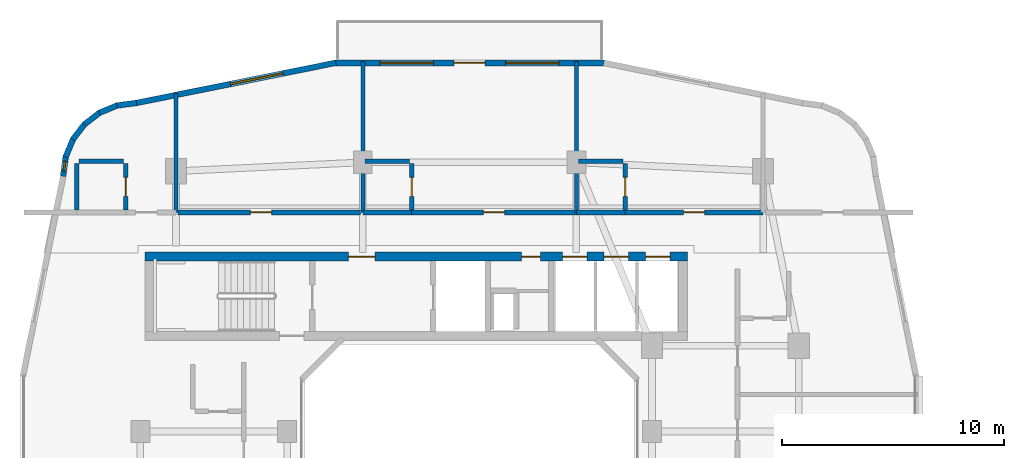
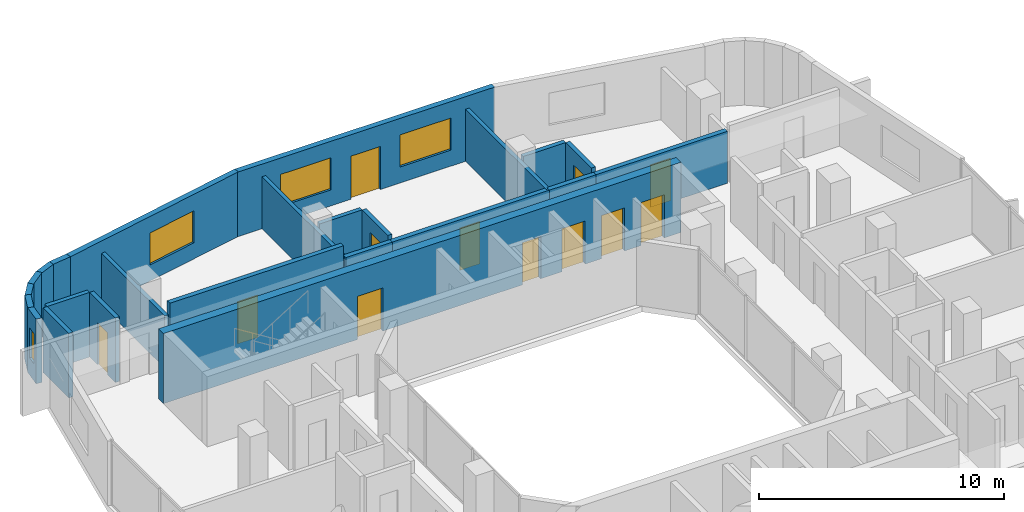
# One storey, part 15 of 26: 24 walls, 12 doors, 4 windows, 16 openings.
"""IFC4 building model written with IfcOpenShell, lengths in metres."""

from ifc_helpers import new_model, si_unit, derived_unit, direction, frame, frame_2d, origin, place, context, subcontext, project, spatial, rectangle, extrude, material, layer, layer_set, type_object, element, fill, save


model = new_model("IFC4")

# Units and contexts
model_context = context("Model", 3, precision=1e-05, world=origin(), true_north=direction((0.0, 1.0)))
body_context = subcontext(model_context, "Body", "Model", "MODEL_VIEW")
ifc_project = project(units=[si_unit("LENGTHUNIT", "METRE"), si_unit("AREAUNIT", "SQUARE_METRE"), si_unit("VOLUMEUNIT", "CUBIC_METRE"), si_unit("PLANEANGLEUNIT", "RADIAN"), si_unit("MASSUNIT", "GRAM", prefix="KILO"), derived_unit("THERMALTRANSMITTANCEUNIT", [(si_unit("POWERUNIT", "WATT"), 1), (si_unit("LENGTHUNIT", "METRE"), -2), (si_unit("THERMODYNAMICTEMPERATUREUNIT", "KELVIN"), -1)])], contexts=[model_context])

# Site, building, storey
site_placement = place(None, origin())
site = spatial("IfcSite", under=ifc_project, at=site_placement, CompositionType="ELEMENT")
building_placement = place(site_placement, origin())
building = spatial("IfcBuilding", under=site, at=building_placement, Name="Kivonza Crest Hotel", CompositionType="ELEMENT")
storey_placement = place(building_placement, frame((0.0, 0.0, 95.0)))
storey = spatial("IfcBuildingStorey", under=building, at=storey_placement, Name="L25", CompositionType="ELEMENT", Elevation=95.0)

# Walls
ifc_material_1 = material(Name="High-density acoustic masonry inter-tenancy wall", Category="masonry")
ifc_layer_1 = layer(ifc_material_1, 0.179931640625)
ifc_layer_set_1 = layer_set([ifc_layer_1], Name="High-density acoustic masonry inter-tenancy wall")
wall_type_1 = type_object("IfcWallType", Name="WL-ACOU-180", PredefinedType="SOLIDWALL", material=ifc_layer_set_1)
wall_1_placement = place(storey_placement, frame((7.800048828125, 38.35009765625, 0.0), z_axis=(0.0, 0.0, 1.0), x_axis=(0.0, 1.0, 0.0)))
element("IfcWall", 1, at=wall_1_placement, inside=storey, type_object=wall_type_1, Name="L25 interior partition WA-L25-T1N-DIV1", PredefinedType="SOLIDWALL", context=body_context, shape_type="SweptSolid", body=[
    extrude(rectangle(XDim=5.350830078125, YDim=0.179931640625, at=frame_2d((2.67529296875, 0.0))), origin(), (0.0, 0.0, 1.0), 2.594970703125),
])
for number, where, z_axis, x_axis, name in (
    (2, (16.199951171875, 38.35009765625, 0.0), (0.0, 0.0, 1.0), (0.0, 1.0, 0.0), "L25 interior partition WA-L25-T1N-DIV2"),
    (3, (25.800048828125, 38.35009765625, 0.0), (0.0, 0.0, 1.0), (0.0, 1.0, 0.0), "L25 interior partition WA-L25-T1N-DIV3"),
):
    element("IfcWall", number, at=place(storey_placement, frame(where, z_axis=z_axis, x_axis=x_axis)), inside=storey, type_object=wall_type_1, Name=name, PredefinedType="SOLIDWALL", context=body_context, shape_type="SweptSolid", body=[
        extrude(rectangle(XDim=6.789794921875, YDim=0.179931640625, at=frame_2d((3.39501953125, 0.0))), origin(), (0.0, 0.0, 1.0), 2.594970703125),
    ])

# Wall, opening, door
ifc_material_2 = material(Name="Autoclaved aerated concrete blockwork", Category="masonry")
ifc_layer_2 = layer(ifc_material_2, 0.219970703125)
ifc_layer_set_2 = layer_set([ifc_layer_2], Name="Autoclaved aerated concrete blockwork")
wall_type_2 = type_object("IfcWallType", Name="WL-ACOU-220", PredefinedType="SOLIDWALL", material=ifc_layer_set_2)
wall_2_placement = place(storey_placement, frame((7.89990234375, 38.35009765625, 0.0), z_axis=(0.0, 0.0, 1.0), x_axis=(1.0, 0.0, 0.0)))
wall_2 = element("IfcWall", 4, at=wall_2_placement, inside=storey, type_object=wall_type_2, Name="L25 interior partition WA-L25-HK-MAIN-S", PredefinedType="SOLIDWALL", context=body_context, shape_type="SweptSolid", body=[
    extrude(rectangle(XDim=8.2001953125, YDim=0.219970703125, at=frame_2d((4.10009765625, 0.0))), origin(), (0.0, 0.0, 1.0), 3.219970703125),
])
opening_1_placement = place(wall_2_placement, frame((3.251953125, 0.0, 0.0)))
opening_1 = element("IfcOpeningElement", 5, at=opening_1_placement, cuts=wall_2, Name="Opening DF-60S", PredefinedType="OPENING", context=body_context, shape_type="SweptSolid", body=[
    extrude(rectangle(XDim=0.949951171875, YDim=2.10009765625, at=frame_2d((0.47509765625, 1.050048828125))), frame((0.0, 0.1201171875, 0.0), z_axis=(0.0, -1.0, 0.0), x_axis=(1.0, 0.0, 0.0)), (0.0, 0.0, 1.0), 0.239990234375),
])
ifc_material_3 = material(Name="Hardwood timber oak", Category="wood")
door_type_1 = type_object("IfcDoorType", Name="DR-FD60-950", OperationType="NOTDEFINED", PredefinedType="DOOR", material=ifc_material_3)
door_1_placement = place(opening_1_placement, origin())
door_1 = element("IfcDoor", 6, at=door_1_placement, inside=storey, type_object=door_type_1, Name="L25 Housekeeping and Linen Room door", OperationType="SINGLE_SWING_RIGHT", OverallHeight=2.10009765625, OverallWidth=0.949951171875, PredefinedType="DOOR", context=body_context, shape_type="SweptSolid", body=[
    extrude(rectangle(XDim=0.949951171875, YDim=2.10009765625, at=frame_2d((0.47509765625, 1.050048828125))), frame((0.0, 0.02490234375, 0.0), z_axis=(0.0, -1.0, 0.0), x_axis=(1.0, 0.0, 0.0)), (0.0, 0.0, 1.0), 0.050048828125),
])
fill(opening_1, door_1)

# Wall
wall_3_placement = place(storey_placement, frame((16.199951171875, 38.35009765625, 0.0), z_axis=(0.0, 0.0, 1.0), x_axis=(1.0, 0.0, 0.0)))
element("IfcWall", 7, at=wall_3_placement, inside=storey, type_object=wall_type_2, Name="L25 interior partition WA-L25-N02-BCORR", PredefinedType="SOLIDWALL", context=body_context, shape_type="SweptSolid", body=[
    extrude(rectangle(XDim=2.199951171875, YDim=0.219970703125, at=frame_2d((1.10009765625, 0.0))), origin(), (0.0, 0.0, 1.0), 2.594970703125),
])

# Wall, opening, door
wall_4_placement = place(storey_placement, frame((18.39990234375, 38.35009765625, 0.0), z_axis=(0.0, 0.0, 1.0), x_axis=(1.0, 0.0, 0.0)))
wall_4 = element("IfcWall", 8, at=wall_4_placement, inside=storey, type_object=wall_type_2, Name="L25 interior partition WA-L25-N02-MCORR", PredefinedType="SOLIDWALL", context=body_context, shape_type="SweptSolid", body=[
    extrude(rectangle(XDim=7.400146484375, YDim=0.219970703125, at=frame_2d((3.7001953125, 0.0))), origin(), (0.0, 0.0, 1.0), 2.594970703125),
])
opening_2_placement = place(wall_4_placement, frame((3.22509765625, 0.0, 0.0)))
opening_2 = element("IfcOpeningElement", 9, at=opening_2_placement, cuts=wall_4, Name="Opening DU-60", PredefinedType="OPENING", context=body_context, shape_type="SweptSolid", body=[
    extrude(rectangle(XDim=0.949951171875, YDim=2.10009765625, at=frame_2d((0.47509765625, 1.050048828125))), frame((0.0, 0.1201171875, 0.0), z_axis=(0.0, -1.0, 0.0), x_axis=(1.0, 0.0, 0.0)), (0.0, 0.0, 1.0), 0.239990234375),
])
door_type_2 = type_object("IfcDoorType", Name="DR-UNIT-950", OperationType="NOTDEFINED", PredefinedType="DOOR", material=ifc_material_3)
door_2_placement = place(opening_2_placement, origin())
door_2 = element("IfcDoor", 10, at=door_2_placement, inside=storey, type_object=door_type_2, Name="L25 N02 guest unit entrance fire door", OperationType="SINGLE_SWING_RIGHT", OverallHeight=2.10009765625, OverallWidth=0.949951171875, PredefinedType="DOOR", context=body_context, shape_type="SweptSolid", body=[
    extrude(rectangle(XDim=0.949951171875, YDim=2.10009765625, at=frame_2d((0.47509765625, 1.050048828125))), frame((0.0, 0.02490234375, 0.0), z_axis=(0.0, -1.0, 0.0), x_axis=(1.0, 0.0, 0.0)), (0.0, 0.0, 1.0), 0.050048828125),
])
fill(opening_2, door_2)

# Wall
wall_5_placement = place(storey_placement, frame((25.800048828125, 38.35009765625, 0.0), z_axis=(0.0, 0.0, 1.0), x_axis=(1.0, 0.0, 0.0)))
element("IfcWall", 11, at=wall_5_placement, inside=storey, type_object=wall_type_2, Name="L25 interior partition WA-L25-N03-BCORR", PredefinedType="SOLIDWALL", context=body_context, shape_type="SweptSolid", body=[
    extrude(rectangle(XDim=2.199951171875, YDim=0.219970703125, at=frame_2d((1.10009765625, 0.0))), origin(), (0.0, 0.0, 1.0), 2.594970703125),
])

# Wall, opening, door
wall_6_placement = place(storey_placement, frame((28.0, 38.35009765625, 0.0), z_axis=(0.0, 0.0, 1.0), x_axis=(1.0, 0.0, 0.0)))
wall_6 = element("IfcWall", 12, at=wall_6_placement, inside=storey, type_object=wall_type_2, Name="L25 interior partition WA-L25-N03-MCORR", PredefinedType="SOLIDWALL", context=body_context, shape_type="SweptSolid", body=[
    extrude(rectangle(XDim=6.199951171875, YDim=0.219970703125, at=frame_2d((3.10009765625, 0.0))), origin(), (0.0, 0.0, 1.0), 2.594970703125),
])
opening_3_placement = place(wall_6_placement, frame((2.625, 0.0, 0.0)))
opening_3 = element("IfcOpeningElement", 13, at=opening_3_placement, cuts=wall_6, Name="Opening DU-60", PredefinedType="OPENING", context=body_context, shape_type="SweptSolid", body=[
    extrude(rectangle(XDim=0.949951171875, YDim=2.10009765625, at=frame_2d((0.47509765625, 1.050048828125))), frame((0.0, 0.1201171875, 0.0), z_axis=(0.0, -1.0, 0.0), x_axis=(1.0, 0.0, 0.0)), (0.0, 0.0, 1.0), 0.239990234375),
])
door_3_placement = place(opening_3_placement, origin())
door_3 = element("IfcDoor", 14, at=door_3_placement, inside=storey, type_object=door_type_2, Name="L25 N03 guest unit entrance fire door", OperationType="SINGLE_SWING_LEFT", OverallHeight=2.10009765625, OverallWidth=0.949951171875, PredefinedType="DOOR", context=body_context, shape_type="SweptSolid", body=[
    extrude(rectangle(XDim=0.949951171875, YDim=2.10009765625, at=frame_2d((0.47509765625, 1.050048828125))), frame((0.0, 0.02490234375, 0.0), z_axis=(0.0, -1.0, 0.0), x_axis=(1.0, 0.0, 0.0)), (0.0, 0.0, 1.0), 0.050048828125),
])
fill(opening_3, door_3)

# Wall, openings, doors
ifc_material_4 = material(Name="Concrete C50/60", Category="concrete")
ifc_layer_3 = layer(ifc_material_4, 0.39990234375)
ifc_layer_set_3 = layer_set([ifc_layer_3], Name="Concrete C50/60")
wall_type_3 = type_object("IfcWallType", Name="WL-CORE-400", PredefinedType="SHEAR", material=ifc_layer_set_3)
wall_7_placement = place(storey_placement, frame((6.39990234375, 36.360107421875, 0.0), z_axis=(0.0, 0.0, 1.0), x_axis=(1.0, 0.0, 0.0)))
wall_7 = element("IfcWall", 15, at=wall_7_placement, inside=storey, type_object=wall_type_3, Name="Core wall T1-N North L25", PredefinedType="SHEAR", context=body_context, shape_type="SweptSolid", body=[
    extrude(rectangle(XDim=24.400146484375, YDim=0.39990234375, at=frame_2d((12.2001953125, 0.0))), origin(), (0.0, 0.0, 1.0), 3.5),
])
opening_4_placement = place(wall_7_placement, frame((9.14990234375, 0.0, 0.0)))
opening_4 = element("IfcOpeningElement", 16, at=opening_4_placement, cuts=wall_7, Name="Opening DF-60", PredefinedType="OPENING", context=body_context, shape_type="SweptSolid", body=[
    extrude(rectangle(XDim=1.199951171875, YDim=2.14990234375, at=frame_2d((0.60009765625, 1.074951171875))), frame((0.0, 0.2099609375, 0.0), z_axis=(0.0, -1.0, 0.0), x_axis=(1.0, 0.0, 0.0)), (0.0, 0.0, 1.0), 0.419921875),
])
opening_5_placement = place(wall_7_placement, frame((16.93994140625, 0.0, 0.0)))
opening_5 = element("IfcOpeningElement", 17, at=opening_5_placement, cuts=wall_7, Name="Opening DF-60R", PredefinedType="OPENING", context=body_context, shape_type="SweptSolid", body=[
    extrude(rectangle(XDim=0.85009765625, YDim=2.10009765625, at=frame_2d((0.425048828125, 1.050048828125))), frame((0.0, 0.2099609375, 0.0), z_axis=(0.0, -1.0, 0.0), x_axis=(1.0, 0.0, 0.0)), (0.0, 0.0, 1.0), 0.419921875),
])
opening_6_placement = place(wall_7_placement, frame((18.782958984375, 0.0, 0.0)))
opening_6 = element("IfcOpeningElement", 18, at=opening_6_placement, cuts=wall_7, Name="Opening LD-120", PredefinedType="OPENING", context=body_context, shape_type="SweptSolid", body=[
    extrude(rectangle(XDim=1.10009765625, YDim=2.14990234375, at=frame_2d((0.550048828125, 1.074951171875))), frame((0.0, 0.2099609375, 0.0), z_axis=(0.0, -1.0, 0.0), x_axis=(1.0, 0.0, 0.0)), (0.0, 0.0, 1.0), 0.419921875),
])
opening_7_placement = place(wall_7_placement, frame((20.64990234375, 0.0, 0.0)))
opening_7 = element("IfcOpeningElement", 19, at=opening_7_placement, cuts=wall_7, Name="Opening LD-120", PredefinedType="OPENING", context=body_context, shape_type="SweptSolid", body=[
    extrude(rectangle(XDim=1.10009765625, YDim=2.14990234375, at=frame_2d((0.550048828125, 1.074951171875))), frame((0.0, 0.2099609375, 0.0), z_axis=(0.0, -1.0, 0.0), x_axis=(1.0, 0.0, 0.0)), (0.0, 0.0, 1.0), 0.419921875),
])
opening_8_placement = place(wall_7_placement, frame((22.51708984375, 0.0, 0.0)))
opening_8 = element("IfcOpeningElement", 20, at=opening_8_placement, cuts=wall_7, Name="Opening LD-120", PredefinedType="OPENING", context=body_context, shape_type="SweptSolid", body=[
    extrude(rectangle(XDim=1.10009765625, YDim=2.14990234375, at=frame_2d((0.550048828125, 1.074951171875))), frame((0.0, 0.2099609375, 0.0), z_axis=(0.0, -1.0, 0.0), x_axis=(1.0, 0.0, 0.0)), (0.0, 0.0, 1.0), 0.419921875),
])
door_type_3 = type_object("IfcDoorType", Name="DR-FD60-1200", OperationType="NOTDEFINED", PredefinedType="DOOR", material=ifc_material_3)
door_4_placement = place(opening_4_placement, origin())
door_4 = element("IfcDoor", 21, at=door_4_placement, inside=storey, type_object=door_type_3, Name="L25 T1-N firefighting lobby fire door", OperationType="SINGLE_SWING_RIGHT", OverallHeight=2.14990234375, OverallWidth=1.199951171875, PredefinedType="DOOR", context=body_context, shape_type="SweptSolid", body=[
    extrude(rectangle(XDim=1.199951171875, YDim=2.14990234375, at=frame_2d((0.60009765625, 1.074951171875))), frame((0.0, 0.02490234375, 0.0), z_axis=(0.0, -1.0, 0.0), x_axis=(1.0, 0.0, 0.0)), (0.0, 0.0, 1.0), 0.050048828125),
])
fill(opening_4, door_4)
door_type_4 = type_object("IfcDoorType", Name="DR-FD60-850", OperationType="NOTDEFINED", PredefinedType="DOOR", material=ifc_material_3)
door_5_placement = place(opening_5_placement, origin())
door_5 = element("IfcDoor", 22, at=door_5_placement, inside=storey, type_object=door_type_4, Name="L25 T1-N core room door", OperationType="SINGLE_SWING_RIGHT", OverallHeight=2.10009765625, OverallWidth=0.85009765625, PredefinedType="DOOR", context=body_context, shape_type="SweptSolid", body=[
    extrude(rectangle(XDim=0.85009765625, YDim=2.10009765625, at=frame_2d((0.425048828125, 1.050048828125))), frame((0.0, 0.02490234375, 0.0), z_axis=(0.0, -1.0, 0.0), x_axis=(1.0, 0.0, 0.0)), (0.0, 0.0, 1.0), 0.050048828125),
])
fill(opening_5, door_5)
ifc_material_5 = material(Name="Stainless steel", Category="steel")
door_type_5 = type_object("IfcDoorType", Name="DR-LD120-1100", OperationType="NOTDEFINED", PredefinedType="DOOR", material=ifc_material_5)
door_6_placement = place(opening_6_placement, origin())
door_6 = element("IfcDoor", 23, at=door_6_placement, inside=storey, type_object=door_type_5, Name="L25 PL-T1-L1 passenger lift sliding landing door", OperationType="DOUBLE_DOOR_SLIDING", OverallHeight=2.14990234375, OverallWidth=1.10009765625, PredefinedType="DOOR", context=body_context, shape_type="SweptSolid", body=[
    extrude(rectangle(XDim=1.10009765625, YDim=2.14990234375, at=frame_2d((0.550048828125, 1.074951171875))), frame((0.0, 0.02490234375, 0.0), z_axis=(0.0, -1.0, 0.0), x_axis=(1.0, 0.0, 0.0)), (0.0, 0.0, 1.0), 0.050048828125),
])
fill(opening_6, door_6)
door_7_placement = place(opening_7_placement, origin())
door_7 = element("IfcDoor", 24, at=door_7_placement, inside=storey, type_object=door_type_5, Name="L25 PL-T1-L2 passenger lift sliding landing door", OperationType="DOUBLE_DOOR_SLIDING", OverallHeight=2.14990234375, OverallWidth=1.10009765625, PredefinedType="DOOR", context=body_context, shape_type="SweptSolid", body=[
    extrude(rectangle(XDim=1.10009765625, YDim=2.14990234375, at=frame_2d((0.550048828125, 1.074951171875))), frame((0.0, 0.02490234375, 0.0), z_axis=(0.0, -1.0, 0.0), x_axis=(1.0, 0.0, 0.0)), (0.0, 0.0, 1.0), 0.050048828125),
])
fill(opening_7, door_7)
door_8_placement = place(opening_8_placement, origin())
door_8 = element("IfcDoor", 25, at=door_8_placement, inside=storey, type_object=door_type_5, Name="L25 PL-T1-L3 passenger lift sliding landing door", OperationType="DOUBLE_DOOR_SLIDING", OverallHeight=2.14990234375, OverallWidth=1.10009765625, PredefinedType="DOOR", context=body_context, shape_type="SweptSolid", body=[
    extrude(rectangle(XDim=1.10009765625, YDim=2.14990234375, at=frame_2d((0.550048828125, 1.074951171875))), frame((0.0, 0.02490234375, 0.0), z_axis=(0.0, -1.0, 0.0), x_axis=(1.0, 0.0, 0.0)), (0.0, 0.0, 1.0), 0.050048828125),
])
fill(opening_8, door_8)

# Wall, openings, door, windows
ifc_material_6 = material(Name="Precast concrete C40/50", Category="concrete")
ifc_layer_4 = layer(ifc_material_6, 0.260009765625)
ifc_layer_set_4 = layer_set([ifc_layer_4], Name="Precast concrete C40/50")
wall_type_4 = type_object("IfcWallType", Name="WL-EXT-260", PredefinedType="STANDARD", material=ifc_layer_set_4)
wall_8_placement = place(storey_placement, frame((27.0849609375, 45.070068359375, 0.0), z_axis=(0.0, 0.0, 1.0), x_axis=(-1.0, 0.0, 0.0)))
wall_8 = element("IfcWall", 26, at=wall_8_placement, inside=storey, type_object=wall_type_4, Name="L25 T1 exterior insulated wall 26", PredefinedType="STANDARD", context=body_context, shape_type="SweptSolid", body=[
    extrude(rectangle(XDim=12.135009765625, YDim=0.260009765625, at=frame_2d((6.0673828125, 0.0))), origin(), (0.0, 0.0, 1.0), 3.219970703125),
])
opening_9_placement = place(wall_8_placement, frame((5.385009765625, 0.0, 0.0)))
opening_9 = element("IfcOpeningElement", 27, at=opening_9_placement, cuts=wall_8, Name="Opening DT-140", PredefinedType="OPENING", context=body_context, shape_type="SweptSolid", body=[
    extrude(rectangle(XDim=1.39990234375, YDim=2.14990234375, at=frame_2d((0.699951171875, 1.074951171875))), frame((0.0, 0.14013671875, 0.0), z_axis=(0.0, -1.0, 0.0), x_axis=(1.0, 0.0, 0.0)), (0.0, 0.0, 1.0), 0.280029296875),
])
opening_10_placement = place(wall_8_placement, frame((2.06005859375, 0.0, 0.800048828125)))
opening_10 = element("IfcOpeningElement", 28, at=opening_10_placement, cuts=wall_8, Name="Opening WN-05", PredefinedType="OPENING", context=body_context, shape_type="SweptSolid", body=[
    extrude(rectangle(XDim=2.39990234375, YDim=1.60009765625, at=frame_2d((1.199951171875, 0.800048828125))), frame((0.0, 0.14013671875, 0.0), z_axis=(0.0, -1.0, 0.0), x_axis=(1.0, 0.0, 0.0)), (0.0, 0.0, 1.0), 0.280029296875),
])
opening_11_placement = place(wall_8_placement, frame((7.7099609375, 0.0, 0.800048828125)))
opening_11 = element("IfcOpeningElement", 29, at=opening_11_placement, cuts=wall_8, Name="Opening WN-05", PredefinedType="OPENING", context=body_context, shape_type="SweptSolid", body=[
    extrude(rectangle(XDim=2.39990234375, YDim=1.60009765625, at=frame_2d((1.199951171875, 0.800048828125))), frame((0.0, 0.14013671875, 0.0), z_axis=(0.0, -1.0, 0.0), x_axis=(1.0, 0.0, 0.0)), (0.0, 0.0, 1.0), 0.280029296875),
])
ifc_material_7 = material(Name="Anodised bronze aluminium and laminated safety glass", Category="aluminium")
door_type_6 = type_object("IfcDoorType", Name="DR-TERR-1400", OperationType="NOTDEFINED", PredefinedType="DOOR", material=ifc_material_7)
door_9_placement = place(opening_9_placement, frame((1.39990234375, 0.0, 0.0), z_axis=(0.0, 0.0, 1.0), x_axis=(-1.0, 0.0, 0.0)))
door_9 = element("IfcDoor", 30, at=door_9_placement, inside=storey, type_object=door_type_6, Name="L25 North setback terrace door", OperationType="DOUBLE_DOOR_SINGLE_SWING", OverallHeight=2.14990234375, OverallWidth=1.39990234375, PredefinedType="DOOR", context=body_context, shape_type="SweptSolid", body=[
    extrude(rectangle(XDim=1.39990234375, YDim=2.14990234375, at=frame_2d((0.699951171875, 1.074951171875))), frame((0.0, 0.02490234375, 0.0), z_axis=(0.0, -1.0, 0.0), x_axis=(1.0, 0.0, 0.0)), (0.0, 0.0, 1.0), 0.050048828125),
])
fill(opening_9, door_9)
ifc_material_8 = material(Name="Thermally broken bronze aluminium and low-E double glazing", Category="aluminium")
window_type_1 = type_object("IfcWindowType", Name="WN-240x160", PartitioningType="TRIPLE_PANEL_VERTICAL", PredefinedType="WINDOW", material=ifc_material_8)
window_1_placement = place(opening_10_placement, origin())
window_1 = element("IfcWindow", 31, at=window_1_placement, inside=storey, type_object=window_type_1, Name="L25 T1 facade window 26 bay 1", OverallHeight=1.60009765625, OverallWidth=2.39990234375, PartitioningType="SINGLE_PANEL", PredefinedType="WINDOW", context=body_context, shape_type="SweptSolid", body=[
    extrude(rectangle(XDim=2.39990234375, YDim=1.60009765625, at=frame_2d((1.199951171875, 0.800048828125))), frame((0.0, 0.030029296875, 0.0), z_axis=(0.0, -1.0, 0.0), x_axis=(1.0, 0.0, 0.0)), (0.0, 0.0, 1.0), 0.06005859375),
])
fill(opening_10, window_1)
window_2_placement = place(opening_11_placement, origin())
window_2 = element("IfcWindow", 32, at=window_2_placement, inside=storey, type_object=window_type_1, Name="L25 T1 facade window 26 bay 2", OverallHeight=1.60009765625, OverallWidth=2.39990234375, PartitioningType="SINGLE_PANEL", PredefinedType="WINDOW", context=body_context, shape_type="SweptSolid", body=[
    extrude(rectangle(XDim=2.39990234375, YDim=1.60009765625, at=frame_2d((1.199951171875, 0.800048828125))), frame((0.0, 0.030029296875, 0.0), z_axis=(0.0, -1.0, 0.0), x_axis=(1.0, 0.0, 0.0)), (0.0, 0.0, 1.0), 0.06005859375),
])
fill(opening_11, window_2)

# Wall, opening, window
wall_9_placement = place(storey_placement, frame((14.990966796875, 45.077880859375, 0.0), z_axis=(0.0, 0.0, 1.0), x_axis=(-0.980321298532, -0.197408590603, 0.0)))
wall_9 = element("IfcWall", 33, at=wall_9_placement, inside=storey, type_object=wall_type_4, Name="L25 T1 exterior insulated wall 27", PredefinedType="STANDARD", context=body_context, shape_type="SweptSolid", body=[
    extrude(rectangle(XDim=9.153076171875, YDim=0.260009765625, at=frame_2d((4.57666015625, 0.0))), origin(), (0.0, 0.0, 1.0), 3.219970703125),
])
opening_12_placement = place(wall_9_placement, frame((2.430908203125, 0.0, 0.800048828125)))
opening_12 = element("IfcOpeningElement", 34, at=opening_12_placement, cuts=wall_9, Name="Opening WN-05", PredefinedType="OPENING", context=body_context, shape_type="SweptSolid", body=[
    extrude(rectangle(XDim=2.39990234375, YDim=1.60009765625, at=frame_2d((1.199951171875, 0.800048828125))), frame((0.0, 0.14013671875, 0.0), z_axis=(0.0, -1.0, 0.0), x_axis=(1.0, 0.0, 0.0)), (0.0, 0.0, 1.0), 0.280029296875),
])
window_3_placement = place(opening_12_placement, origin())
window_3 = element("IfcWindow", 35, at=window_3_placement, inside=storey, type_object=window_type_1, Name="L25 T1 facade window 27", OverallHeight=1.60009765625, OverallWidth=2.39990234375, PartitioningType="SINGLE_PANEL", PredefinedType="WINDOW", context=body_context, shape_type="SweptSolid", body=[
    extrude(rectangle(XDim=2.39990234375, YDim=1.60009765625, at=frame_2d((1.199951171875, 0.800048828125))), frame((0.0, 0.030029296875, 0.0), z_axis=(0.0, -1.0, 0.0), x_axis=(1.0, 0.0, 0.0)), (0.0, 0.0, 1.0), 0.06005859375),
])
fill(opening_12, window_3)

# Walls
wall_10_placement = place(storey_placement, frame((6.02490234375, 43.27197265625, 0.0), z_axis=(0.0, 0.0, 1.0), x_axis=(-0.991388484223, -0.130953706898, 0.0)))
element("IfcWall", 36, at=wall_10_placement, inside=storey, type_object=wall_type_4, Name="L25 T1 exterior insulated wall 28", PredefinedType="STANDARD", context=body_context, shape_type="SweptSolid", body=[
    extrude(rectangle(XDim=0.885498046875, YDim=0.260009765625, at=frame_2d((0.44287109375, 0.0))), origin(), (0.0, 0.0, 1.0), 3.219970703125),
])
wall_11_placement = place(storey_placement, frame((5.193115234375, 43.174072265625, 0.0), z_axis=(0.0, 0.0, 1.0), x_axis=(-0.923627776508, -0.383290660547, 0.0)))
element("IfcWall", 37, at=wall_11_placement, inside=storey, type_object=wall_type_4, Name="L25 T1 exterior insulated wall 29", PredefinedType="STANDARD", context=body_context, shape_type="SweptSolid", body=[
    extrude(rectangle(XDim=0.9033203125, YDim=0.260009765625, at=frame_2d((0.45166015625, 0.0))), origin(), (0.0, 0.0, 1.0), 3.219970703125),
])
wall_12_placement = place(storey_placement, frame((4.39892578125, 42.85595703125, 0.0), z_axis=(0.0, 0.0, 1.0), x_axis=(-0.793458244748, -0.608624690463, 0.0)))
element("IfcWall", 38, at=wall_12_placement, inside=storey, type_object=wall_type_4, Name="L25 T1 exterior insulated wall 30", PredefinedType="STANDARD", context=body_context, shape_type="SweptSolid", body=[
    extrude(rectangle(XDim=0.902099609375, YDim=0.260009765625, at=frame_2d((0.451171875, 0.0))), origin(), (0.0, 0.0, 1.0), 3.219970703125),
])
wall_13_placement = place(storey_placement, frame((3.714111328125, 42.344970703125, 0.0), z_axis=(0.0, 0.0, 1.0), x_axis=(-0.608494022858, -0.793558456666, 0.0)))
element("IfcWall", 39, at=wall_13_placement, inside=storey, type_object=wall_type_4, Name="L25 T1 exterior insulated wall 31", PredefinedType="STANDARD", context=body_context, shape_type="SweptSolid", body=[
    extrude(rectangle(XDim=0.90234375, YDim=0.260009765625, at=frame_2d((0.451171875, 0.0))), origin(), (0.0, 0.0, 1.0), 3.219970703125),
])
wall_14_placement = place(storey_placement, frame((3.18603515625, 41.673095703125, 0.0), z_axis=(0.0, 0.0, 1.0), x_axis=(-0.383155708213, -0.923683767999, 0.0)))
element("IfcWall", 40, at=wall_14_placement, inside=storey, type_object=wall_type_4, Name="L25 T1 exterior insulated wall 32", PredefinedType="STANDARD", context=body_context, shape_type="SweptSolid", body=[
    extrude(rectangle(XDim=0.90283203125, YDim=0.260009765625, at=frame_2d((0.451416015625, 0.0))), origin(), (0.0, 0.0, 1.0), 3.219970703125),
])

# Wall, opening, window
wall_15_placement = place(storey_placement, frame((2.847900390625, 40.887939453125, 0.0), z_axis=(0.0, 0.0, 1.0), x_axis=(-0.130200706103, -0.991487658083, 0.0)))
wall_15 = element("IfcWall", 41, at=wall_15_placement, inside=storey, type_object=wall_type_4, Name="L25 T1 exterior insulated wall 33", PredefinedType="STANDARD", context=body_context, shape_type="SweptSolid", body=[
    extrude(rectangle(XDim=0.920654296875, YDim=0.260009765625, at=frame_2d((0.46044921875, 0.0))), origin(), (0.0, 0.0, 1.0), 3.219970703125),
])
opening_13_placement = place(wall_15_placement, frame((0.235107421875, 0.0, 0.85009765625)))
opening_13 = element("IfcOpeningElement", 42, at=opening_13_placement, cuts=wall_15, Name="Opening WN-11", PredefinedType="OPENING", context=body_context, shape_type="SweptSolid", body=[
    extrude(rectangle(XDim=0.449951171875, YDim=1.5, at=frame_2d((0.22509765625, 0.75))), frame((0.0, 0.14013671875, 0.0), z_axis=(0.0, -1.0, 0.0), x_axis=(1.0, 0.0, 0.0)), (0.0, 0.0, 1.0), 0.280029296875),
])
window_type_2 = type_object("IfcWindowType", Name="WN-045x150", PartitioningType="SINGLE_PANEL", PredefinedType="WINDOW", material=ifc_material_8)
window_4_placement = place(opening_13_placement, origin())
window_4 = element("IfcWindow", 43, at=window_4_placement, inside=storey, type_object=window_type_2, Name="L25 corner vision window 1", OverallHeight=1.5, OverallWidth=0.449951171875, PartitioningType="SINGLE_PANEL", PredefinedType="WINDOW", context=body_context, shape_type="SweptSolid", body=[
    extrude(rectangle(XDim=0.449951171875, YDim=1.5, at=frame_2d((0.22509765625, 0.75))), frame((0.0, 0.030029296875, 0.0), z_axis=(0.0, -1.0, 0.0), x_axis=(1.0, 0.0, 0.0)), (0.0, 0.0, 1.0), 0.06005859375),
])
fill(opening_13, window_4)

# Wall, opening, door
ifc_material_9 = material(Name="Moisture-resistant plumbing chase partition wall", Category="gypsum")
ifc_layer_5 = layer(ifc_material_9, 0.199951171875)
ifc_layer_set_5 = layer_set([ifc_layer_5], Name="Moisture-resistant plumbing chase partition wall")
wall_type_5 = type_object("IfcWallType", Name="WL-PLUMB-200", PredefinedType="PLUMBINGWALL", material=ifc_layer_set_5)
wall_16_placement = place(storey_placement, frame((5.550048828125, 38.449951171875, 0.0), z_axis=(0.0, 0.0, 1.0), x_axis=(0.0, 1.0, 0.0)))
wall_16 = element("IfcWall", 44, at=wall_16_placement, inside=storey, type_object=wall_type_5, Name="L25 interior partition WW-L25-N01-BV", PredefinedType="PLUMBINGWALL", context=body_context, shape_type="SweptSolid", body=[
    extrude(rectangle(XDim=2.10009765625, YDim=0.199951171875, at=frame_2d((1.050048828125, 0.0))), origin(), (0.0, 0.0, 1.0), 3.219970703125),
])
opening_14_placement = place(wall_16_placement, frame((0.625, 0.0, 0.0)))
opening_14 = element("IfcOpeningElement", 45, at=opening_14_placement, cuts=wall_16, Name="Opening DI-85", PredefinedType="OPENING", context=body_context, shape_type="SweptSolid", body=[
    extrude(rectangle(XDim=0.85009765625, YDim=2.10009765625, at=frame_2d((0.425048828125, 1.050048828125))), frame((0.0, 0.10986328125, 0.0), z_axis=(0.0, -1.0, 0.0), x_axis=(1.0, 0.0, 0.0)), (0.0, 0.0, 1.0), 0.219970703125),
])
door_type_7 = type_object("IfcDoorType", Name="DR-INT-850", OperationType="NOTDEFINED", PredefinedType="DOOR", material=ifc_material_3)
door_10_placement = place(opening_14_placement, frame((0.85009765625, 0.0, 0.0), z_axis=(0.0, 0.0, 1.0), x_axis=(-1.0, 0.0, 0.0)))
door_10 = element("IfcDoor", 46, at=door_10_placement, inside=storey, type_object=door_type_7, Name="L25 N01 en-suite bathroom door", OperationType="SINGLE_SWING_RIGHT", OverallHeight=2.10009765625, OverallWidth=0.85009765625, PredefinedType="DOOR", context=body_context, shape_type="SweptSolid", body=[
    extrude(rectangle(XDim=0.85009765625, YDim=2.10009765625, at=frame_2d((0.425048828125, 1.050048828125))), frame((0.0, 0.02490234375, 0.0), z_axis=(0.0, -1.0, 0.0), x_axis=(1.0, 0.0, 0.0)), (0.0, 0.0, 1.0), 0.050048828125),
])
fill(opening_14, door_10)

# Walls
wall_17_placement = place(storey_placement, frame((3.449951171875, 40.64990234375, 0.0), z_axis=(0.0, 0.0, 1.0), x_axis=(1.0, 0.0, 0.0)))
element("IfcWall", 47, at=wall_17_placement, inside=storey, type_object=wall_type_5, Name="L25 interior partition WW-L25-N01-BH", PredefinedType="PLUMBINGWALL", context=body_context, shape_type="SweptSolid", body=[
    extrude(rectangle(XDim=2.0, YDim=0.199951171875, at=frame_2d((1.0, 0.0))), origin(), (0.0, 0.0, 1.0), 3.219970703125),
])
wall_18_placement = place(storey_placement, frame((3.35009765625, 38.449951171875, 0.0), z_axis=(0.0, 0.0, 1.0), x_axis=(0.0, 1.0, 0.0)))
element("IfcWall", 48, at=wall_18_placement, inside=storey, type_object=wall_type_5, Name="L25 interior partition WW-L25-N01-BVW", PredefinedType="PLUMBINGWALL", context=body_context, shape_type="SweptSolid", body=[
    extrude(rectangle(XDim=2.10009765625, YDim=0.199951171875, at=frame_2d((1.050048828125, 0.0))), origin(), (0.0, 0.0, 1.0), 3.219970703125),
])

# Wall, opening, door
wall_19_placement = place(storey_placement, frame((18.39990234375, 38.449951171875, 0.0), z_axis=(0.0, 0.0, 1.0), x_axis=(0.0, 1.0, 0.0)))
wall_19 = element("IfcWall", 49, at=wall_19_placement, inside=storey, type_object=wall_type_5, Name="L25 interior partition WW-L25-N02-BV", PredefinedType="PLUMBINGWALL", context=body_context, shape_type="SweptSolid", body=[
    extrude(rectangle(XDim=2.10009765625, YDim=0.199951171875, at=frame_2d((1.050048828125, 0.0))), origin(), (0.0, 0.0, 1.0), 2.8349609375),
])
opening_15_placement = place(wall_19_placement, frame((0.625, 0.0, 0.0)))
opening_15 = element("IfcOpeningElement", 50, at=opening_15_placement, cuts=wall_19, Name="Opening DI-85", PredefinedType="OPENING", context=body_context, shape_type="SweptSolid", body=[
    extrude(rectangle(XDim=0.85009765625, YDim=2.10009765625, at=frame_2d((0.425048828125, 1.050048828125))), frame((0.0, 0.10986328125, 0.0), z_axis=(0.0, -1.0, 0.0), x_axis=(1.0, 0.0, 0.0)), (0.0, 0.0, 1.0), 0.219970703125),
])
door_11_placement = place(opening_15_placement, frame((0.85009765625, 0.0, 0.0), z_axis=(0.0, 0.0, 1.0), x_axis=(-1.0, 0.0, 0.0)))
door_11 = element("IfcDoor", 51, at=door_11_placement, inside=storey, type_object=door_type_7, Name="L25 N02 en-suite bathroom door", OperationType="SINGLE_SWING_LEFT", OverallHeight=2.10009765625, OverallWidth=0.85009765625, PredefinedType="DOOR", context=body_context, shape_type="SweptSolid", body=[
    extrude(rectangle(XDim=0.85009765625, YDim=2.10009765625, at=frame_2d((0.425048828125, 1.050048828125))), frame((0.0, 0.02490234375, 0.0), z_axis=(0.0, -1.0, 0.0), x_axis=(1.0, 0.0, 0.0)), (0.0, 0.0, 1.0), 0.050048828125),
])
fill(opening_15, door_11)

# Wall
wall_20_placement = place(storey_placement, frame((16.300048828125, 40.64990234375, 0.0), z_axis=(0.0, 0.0, 1.0), x_axis=(1.0, 0.0, 0.0)))
element("IfcWall", 52, at=wall_20_placement, inside=storey, type_object=wall_type_5, Name="L25 interior partition WW-L25-N02-BH", PredefinedType="PLUMBINGWALL", context=body_context, shape_type="SweptSolid", body=[
    extrude(rectangle(XDim=2.0, YDim=0.199951171875, at=frame_2d((1.0, 0.0))), origin(), (0.0, 0.0, 1.0), 2.8349609375),
])

# Wall, opening, door
wall_21_placement = place(storey_placement, frame((28.0, 38.449951171875, 0.0), z_axis=(0.0, 0.0, 1.0), x_axis=(0.0, 1.0, 0.0)))
wall_21 = element("IfcWall", 53, at=wall_21_placement, inside=storey, type_object=wall_type_5, Name="L25 interior partition WW-L25-N03-BV", PredefinedType="PLUMBINGWALL", context=body_context, shape_type="SweptSolid", body=[
    extrude(rectangle(XDim=2.10009765625, YDim=0.199951171875, at=frame_2d((1.050048828125, 0.0))), origin(), (0.0, 0.0, 1.0), 2.8349609375),
])
opening_16_placement = place(wall_21_placement, frame((0.625, 0.0, 0.0)))
opening_16 = element("IfcOpeningElement", 54, at=opening_16_placement, cuts=wall_21, Name="Opening DI-85", PredefinedType="OPENING", context=body_context, shape_type="SweptSolid", body=[
    extrude(rectangle(XDim=0.85009765625, YDim=2.10009765625, at=frame_2d((0.425048828125, 1.050048828125))), frame((0.0, 0.10986328125, 0.0), z_axis=(0.0, -1.0, 0.0), x_axis=(1.0, 0.0, 0.0)), (0.0, 0.0, 1.0), 0.219970703125),
])
door_12_placement = place(opening_16_placement, frame((0.85009765625, 0.0, 0.0), z_axis=(0.0, 0.0, 1.0), x_axis=(-1.0, 0.0, 0.0)))
door_12 = element("IfcDoor", 55, at=door_12_placement, inside=storey, type_object=door_type_7, Name="L25 N03 en-suite bathroom door", OperationType="SINGLE_SWING_RIGHT", OverallHeight=2.10009765625, OverallWidth=0.85009765625, PredefinedType="DOOR", context=body_context, shape_type="SweptSolid", body=[
    extrude(rectangle(XDim=0.85009765625, YDim=2.10009765625, at=frame_2d((0.425048828125, 1.050048828125))), frame((0.0, 0.02490234375, 0.0), z_axis=(0.0, -1.0, 0.0), x_axis=(1.0, 0.0, 0.0)), (0.0, 0.0, 1.0), 0.050048828125),
])
fill(opening_16, door_12)

# Wall
wall_22_placement = place(storey_placement, frame((25.89990234375, 40.64990234375, 0.0), z_axis=(0.0, 0.0, 1.0), x_axis=(1.0, 0.0, 0.0)))
element("IfcWall", 56, at=wall_22_placement, inside=storey, type_object=wall_type_5, Name="L25 interior partition WW-L25-N03-BH", PredefinedType="PLUMBINGWALL", context=body_context, shape_type="SweptSolid", body=[
    extrude(rectangle(XDim=2.0, YDim=0.199951171875, at=frame_2d((1.0, 0.0))), origin(), (0.0, 0.0, 1.0), 2.8349609375),
])

save(model, "model.ifc")
